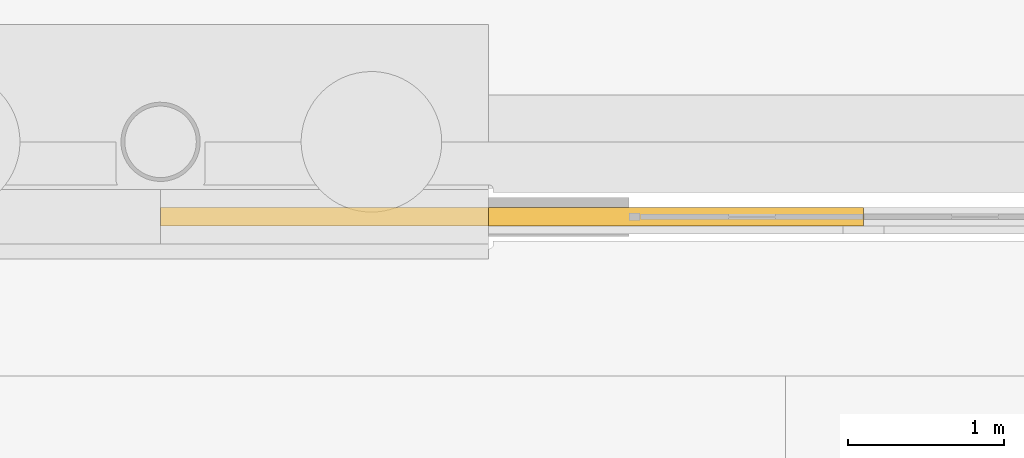
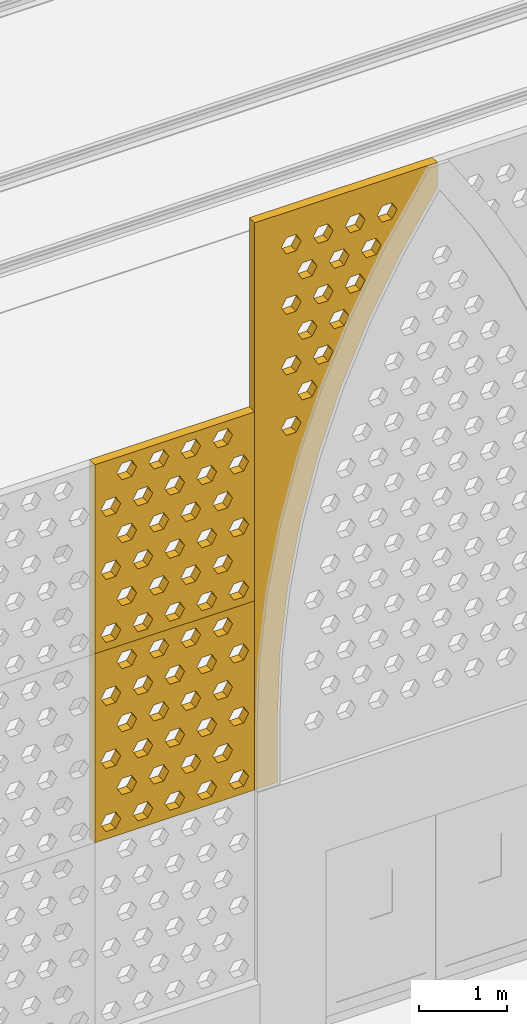
# One storey, part 188 of 250: 3 shading devices.
"""IFC4 building model written with IfcOpenShell, lengths in metres."""

from ifc_helpers import new_model, si_unit, direction, frame, origin, place, context, subcontext, project, spatial, polyline, outline, extrude, material, layer, layer_set, type_object, element, save


model = new_model("IFC4")

# Units and contexts
model_context = context("Model", 3, precision=1e-05, world=origin(), true_north=direction((0.0, 1.0)))
body_context = subcontext(model_context, "Body", "Model", "MODEL_VIEW")
ifc_project = project(units=[si_unit("LENGTHUNIT", "METRE"), si_unit("AREAUNIT", "SQUARE_METRE"), si_unit("VOLUMEUNIT", "CUBIC_METRE"), si_unit("PLANEANGLEUNIT", "RADIAN"), si_unit("MASSUNIT", "GRAM", prefix="KILO")], contexts=[model_context])

# Site, building, storey
site_placement = place(None, origin())
site = spatial("IfcSite", under=ifc_project, at=site_placement, CompositionType="ELEMENT")
building_placement = place(site_placement, origin())
building = spatial("IfcBuilding", under=site, at=building_placement, Name="Baradari Gate Terminus", CompositionType="ELEMENT")
storey_placement = place(building_placement, origin())
storey = spatial("IfcBuildingStorey", under=building, at=storey_placement, Name="L00", CompositionType="ELEMENT", Elevation=0.0)

# Shading devices
ifc_material = material(Name="Concrete C50/60 precast", Category="concrete")
ifc_layer = layer(ifc_material, 0.1201171875)
ifc_layer_set = layer_set([ifc_layer], Name="Concrete C50/60 precast")
shading_device_type = type_object("IfcShadingDeviceType", Name="Jali screen panel JS-2 120", PredefinedType="SHUTTER", material=ifc_layer_set)
shading_device_1_placement = place(storey_placement, frame((162.0, 35.52001953125, 3.52490234375), z_axis=(0.0, 0.0, 1.0), x_axis=(1.0, 0.0, 0.0)))
element("IfcShadingDevice", 1, at=shading_device_1_placement, inside=storey, type_object=shading_device_type, Name="Jali screen panel JS-2 SC01a row 2 panel 1", PredefinedType="SHUTTER", context=body_context, shape_type="SweptSolid", body=[
    extrude(outline(polyline([(0.0, 0.0), (2.10009765625, 0.0), (2.10009765625, 2.625), (0.0, 2.625), (0.0, 0.0)]), holes=[polyline([(0.340087890625, 0.21875), (0.27490234375, 0.106201171875), (0.14501953125, 0.106201171875), (0.080078125, 0.21875), (0.14501953125, 0.33154296875), (0.27490234375, 0.33154296875), (0.340087890625, 0.21875)]), polyline([(0.760009765625, 0.21875), (0.695068359375, 0.106201171875), (0.56494140625, 0.106201171875), (0.5, 0.21875), (0.56494140625, 0.33154296875), (0.695068359375, 0.33154296875), (0.760009765625, 0.21875)]), polyline([(1.179931640625, 0.21875), (1.114990234375, 0.106201171875), (0.985107421875, 0.106201171875), (0.919921875, 0.21875), (0.985107421875, 0.33154296875), (1.114990234375, 0.33154296875), (1.179931640625, 0.21875)]), polyline([(1.60009765625, 0.21875), (1.534912109375, 0.106201171875), (1.405029296875, 0.106201171875), (1.340087890625, 0.21875), (1.405029296875, 0.33154296875), (1.534912109375, 0.33154296875), (1.60009765625, 0.21875)]), polyline([(2.02001953125, 0.21875), (1.955078125, 0.106201171875), (1.824951171875, 0.106201171875), (1.760009765625, 0.21875), (1.824951171875, 0.33154296875), (1.955078125, 0.33154296875), (2.02001953125, 0.21875)]), polyline([(0.550048828125, 0.65625), (0.485107421875, 0.543701171875), (0.35498046875, 0.543701171875), (0.2900390625, 0.65625), (0.35498046875, 0.76904296875), (0.485107421875, 0.76904296875), (0.550048828125, 0.65625)]), polyline([(0.969970703125, 0.65625), (0.905029296875, 0.543701171875), (0.77490234375, 0.543701171875), (0.7099609375, 0.65625), (0.77490234375, 0.76904296875), (0.905029296875, 0.76904296875), (0.969970703125, 0.65625)]), polyline([(1.389892578125, 0.65625), (1.324951171875, 0.543701171875), (1.195068359375, 0.543701171875), (1.1298828125, 0.65625), (1.195068359375, 0.76904296875), (1.324951171875, 0.76904296875), (1.389892578125, 0.65625)]), polyline([(1.81005859375, 0.65625), (1.7451171875, 0.543701171875), (1.614990234375, 0.543701171875), (1.550048828125, 0.65625), (1.614990234375, 0.76904296875), (1.7451171875, 0.76904296875), (1.81005859375, 0.65625)]), polyline([(0.340087890625, 1.09375), (0.27490234375, 0.981201171875), (0.14501953125, 0.981201171875), (0.080078125, 1.09375), (0.14501953125, 1.20654296875), (0.27490234375, 1.20654296875), (0.340087890625, 1.09375)]), polyline([(0.760009765625, 1.09375), (0.695068359375, 0.981201171875), (0.56494140625, 0.981201171875), (0.5, 1.09375), (0.56494140625, 1.20654296875), (0.695068359375, 1.20654296875), (0.760009765625, 1.09375)]), polyline([(1.179931640625, 1.09375), (1.114990234375, 0.981201171875), (0.985107421875, 0.981201171875), (0.919921875, 1.09375), (0.985107421875, 1.20654296875), (1.114990234375, 1.20654296875), (1.179931640625, 1.09375)]), polyline([(1.60009765625, 1.09375), (1.534912109375, 0.981201171875), (1.405029296875, 0.981201171875), (1.340087890625, 1.09375), (1.405029296875, 1.20654296875), (1.534912109375, 1.20654296875), (1.60009765625, 1.09375)]), polyline([(2.02001953125, 1.09375), (1.955078125, 0.981201171875), (1.824951171875, 0.981201171875), (1.760009765625, 1.09375), (1.824951171875, 1.20654296875), (1.955078125, 1.20654296875), (2.02001953125, 1.09375)]), polyline([(0.550048828125, 1.53125), (0.485107421875, 1.418701171875), (0.35498046875, 1.418701171875), (0.2900390625, 1.53125), (0.35498046875, 1.64404296875), (0.485107421875, 1.64404296875), (0.550048828125, 1.53125)]), polyline([(0.969970703125, 1.53125), (0.905029296875, 1.418701171875), (0.77490234375, 1.418701171875), (0.7099609375, 1.53125), (0.77490234375, 1.64404296875), (0.905029296875, 1.64404296875), (0.969970703125, 1.53125)]), polyline([(1.389892578125, 1.53125), (1.324951171875, 1.418701171875), (1.195068359375, 1.418701171875), (1.1298828125, 1.53125), (1.195068359375, 1.64404296875), (1.324951171875, 1.64404296875), (1.389892578125, 1.53125)]), polyline([(1.81005859375, 1.53125), (1.7451171875, 1.418701171875), (1.614990234375, 1.418701171875), (1.550048828125, 1.53125), (1.614990234375, 1.64404296875), (1.7451171875, 1.64404296875), (1.81005859375, 1.53125)]), polyline([(0.340087890625, 1.96875), (0.27490234375, 1.856201171875), (0.14501953125, 1.856201171875), (0.080078125, 1.96875), (0.14501953125, 2.08154296875), (0.27490234375, 2.08154296875), (0.340087890625, 1.96875)]), polyline([(0.760009765625, 1.96875), (0.695068359375, 1.856201171875), (0.56494140625, 1.856201171875), (0.5, 1.96875), (0.56494140625, 2.08154296875), (0.695068359375, 2.08154296875), (0.760009765625, 1.96875)]), polyline([(1.179931640625, 1.96875), (1.114990234375, 1.856201171875), (0.985107421875, 1.856201171875), (0.919921875, 1.96875), (0.985107421875, 2.08154296875), (1.114990234375, 2.08154296875), (1.179931640625, 1.96875)]), polyline([(1.60009765625, 1.96875), (1.534912109375, 1.856201171875), (1.405029296875, 1.856201171875), (1.340087890625, 1.96875), (1.405029296875, 2.08154296875), (1.534912109375, 2.08154296875), (1.60009765625, 1.96875)]), polyline([(2.02001953125, 1.96875), (1.955078125, 1.856201171875), (1.824951171875, 1.856201171875), (1.760009765625, 1.96875), (1.824951171875, 2.08154296875), (1.955078125, 2.08154296875), (2.02001953125, 1.96875)]), polyline([(0.550048828125, 2.40625), (0.485107421875, 2.293701171875), (0.35498046875, 2.293701171875), (0.2900390625, 2.40625), (0.35498046875, 2.51904296875), (0.485107421875, 2.51904296875), (0.550048828125, 2.40625)]), polyline([(0.969970703125, 2.40625), (0.905029296875, 2.293701171875), (0.77490234375, 2.293701171875), (0.7099609375, 2.40625), (0.77490234375, 2.51904296875), (0.905029296875, 2.51904296875), (0.969970703125, 2.40625)]), polyline([(1.389892578125, 2.40625), (1.324951171875, 2.293701171875), (1.195068359375, 2.293701171875), (1.1298828125, 2.40625), (1.195068359375, 2.51904296875), (1.324951171875, 2.51904296875), (1.389892578125, 2.40625)]), polyline([(1.81005859375, 2.40625), (1.7451171875, 2.293701171875), (1.614990234375, 2.293701171875), (1.550048828125, 2.40625), (1.614990234375, 2.51904296875), (1.7451171875, 2.51904296875), (1.81005859375, 2.40625)])]), frame((0.0, 0.06005859375, 0.0), z_axis=(0.0, -1.0, 0.0), x_axis=(1.0, 0.0, 0.0)), (0.0, 0.0, 1.0), 0.1201171875),
])
shading_device_2_placement = place(storey_placement, frame((162.0, 35.52001953125, 6.14990234375), z_axis=(0.0, 0.0, 1.0), x_axis=(1.0, 0.0, 0.0)))
element("IfcShadingDevice", 2, at=shading_device_2_placement, inside=storey, type_object=shading_device_type, Name="Jali screen panel JS-2 SC01a row 3 panel 1", PredefinedType="SHUTTER", context=body_context, shape_type="SweptSolid", body=[
    extrude(outline(polyline([(0.0, 0.0), (2.10009765625, 0.0), (2.10009765625, 2.625), (0.0, 2.625), (0.0, 0.0)]), holes=[polyline([(0.340087890625, 0.21875), (0.27490234375, 0.106201171875), (0.14501953125, 0.106201171875), (0.080078125, 0.21875), (0.14501953125, 0.33154296875), (0.27490234375, 0.33154296875), (0.340087890625, 0.21875)]), polyline([(0.760009765625, 0.21875), (0.695068359375, 0.106201171875), (0.56494140625, 0.106201171875), (0.5, 0.21875), (0.56494140625, 0.33154296875), (0.695068359375, 0.33154296875), (0.760009765625, 0.21875)]), polyline([(1.179931640625, 0.21875), (1.114990234375, 0.106201171875), (0.985107421875, 0.106201171875), (0.919921875, 0.21875), (0.985107421875, 0.33154296875), (1.114990234375, 0.33154296875), (1.179931640625, 0.21875)]), polyline([(1.60009765625, 0.21875), (1.534912109375, 0.106201171875), (1.405029296875, 0.106201171875), (1.340087890625, 0.21875), (1.405029296875, 0.33154296875), (1.534912109375, 0.33154296875), (1.60009765625, 0.21875)]), polyline([(2.02001953125, 0.21875), (1.955078125, 0.106201171875), (1.824951171875, 0.106201171875), (1.760009765625, 0.21875), (1.824951171875, 0.33154296875), (1.955078125, 0.33154296875), (2.02001953125, 0.21875)]), polyline([(0.550048828125, 0.65625), (0.485107421875, 0.543701171875), (0.35498046875, 0.543701171875), (0.2900390625, 0.65625), (0.35498046875, 0.76904296875), (0.485107421875, 0.76904296875), (0.550048828125, 0.65625)]), polyline([(0.969970703125, 0.65625), (0.905029296875, 0.543701171875), (0.77490234375, 0.543701171875), (0.7099609375, 0.65625), (0.77490234375, 0.76904296875), (0.905029296875, 0.76904296875), (0.969970703125, 0.65625)]), polyline([(1.389892578125, 0.65625), (1.324951171875, 0.543701171875), (1.195068359375, 0.543701171875), (1.1298828125, 0.65625), (1.195068359375, 0.76904296875), (1.324951171875, 0.76904296875), (1.389892578125, 0.65625)]), polyline([(1.81005859375, 0.65625), (1.7451171875, 0.543701171875), (1.614990234375, 0.543701171875), (1.550048828125, 0.65625), (1.614990234375, 0.76904296875), (1.7451171875, 0.76904296875), (1.81005859375, 0.65625)]), polyline([(0.340087890625, 1.09375), (0.27490234375, 0.981201171875), (0.14501953125, 0.981201171875), (0.080078125, 1.09375), (0.14501953125, 1.20654296875), (0.27490234375, 1.20654296875), (0.340087890625, 1.09375)]), polyline([(0.760009765625, 1.09375), (0.695068359375, 0.981201171875), (0.56494140625, 0.981201171875), (0.5, 1.09375), (0.56494140625, 1.20654296875), (0.695068359375, 1.20654296875), (0.760009765625, 1.09375)]), polyline([(1.179931640625, 1.09375), (1.114990234375, 0.981201171875), (0.985107421875, 0.981201171875), (0.919921875, 1.09375), (0.985107421875, 1.20654296875), (1.114990234375, 1.20654296875), (1.179931640625, 1.09375)]), polyline([(1.60009765625, 1.09375), (1.534912109375, 0.981201171875), (1.405029296875, 0.981201171875), (1.340087890625, 1.09375), (1.405029296875, 1.20654296875), (1.534912109375, 1.20654296875), (1.60009765625, 1.09375)]), polyline([(2.02001953125, 1.09375), (1.955078125, 0.981201171875), (1.824951171875, 0.981201171875), (1.760009765625, 1.09375), (1.824951171875, 1.20654296875), (1.955078125, 1.20654296875), (2.02001953125, 1.09375)]), polyline([(0.550048828125, 1.53125), (0.485107421875, 1.418701171875), (0.35498046875, 1.418701171875), (0.2900390625, 1.53125), (0.35498046875, 1.64404296875), (0.485107421875, 1.64404296875), (0.550048828125, 1.53125)]), polyline([(0.969970703125, 1.53125), (0.905029296875, 1.418701171875), (0.77490234375, 1.418701171875), (0.7099609375, 1.53125), (0.77490234375, 1.64404296875), (0.905029296875, 1.64404296875), (0.969970703125, 1.53125)]), polyline([(1.389892578125, 1.53125), (1.324951171875, 1.418701171875), (1.195068359375, 1.418701171875), (1.1298828125, 1.53125), (1.195068359375, 1.64404296875), (1.324951171875, 1.64404296875), (1.389892578125, 1.53125)]), polyline([(1.81005859375, 1.53125), (1.7451171875, 1.418701171875), (1.614990234375, 1.418701171875), (1.550048828125, 1.53125), (1.614990234375, 1.64404296875), (1.7451171875, 1.64404296875), (1.81005859375, 1.53125)]), polyline([(0.340087890625, 1.96875), (0.27490234375, 1.856201171875), (0.14501953125, 1.856201171875), (0.080078125, 1.96875), (0.14501953125, 2.08154296875), (0.27490234375, 2.08154296875), (0.340087890625, 1.96875)]), polyline([(0.760009765625, 1.96875), (0.695068359375, 1.856201171875), (0.56494140625, 1.856201171875), (0.5, 1.96875), (0.56494140625, 2.08154296875), (0.695068359375, 2.08154296875), (0.760009765625, 1.96875)]), polyline([(1.179931640625, 1.96875), (1.114990234375, 1.856201171875), (0.985107421875, 1.856201171875), (0.919921875, 1.96875), (0.985107421875, 2.08154296875), (1.114990234375, 2.08154296875), (1.179931640625, 1.96875)]), polyline([(1.60009765625, 1.96875), (1.534912109375, 1.856201171875), (1.405029296875, 1.856201171875), (1.340087890625, 1.96875), (1.405029296875, 2.08154296875), (1.534912109375, 2.08154296875), (1.60009765625, 1.96875)]), polyline([(2.02001953125, 1.96875), (1.955078125, 1.856201171875), (1.824951171875, 1.856201171875), (1.760009765625, 1.96875), (1.824951171875, 2.08154296875), (1.955078125, 2.08154296875), (2.02001953125, 1.96875)]), polyline([(0.550048828125, 2.40625), (0.485107421875, 2.293701171875), (0.35498046875, 2.293701171875), (0.2900390625, 2.40625), (0.35498046875, 2.51904296875), (0.485107421875, 2.51904296875), (0.550048828125, 2.40625)]), polyline([(0.969970703125, 2.40625), (0.905029296875, 2.293701171875), (0.77490234375, 2.293701171875), (0.7099609375, 2.40625), (0.77490234375, 2.51904296875), (0.905029296875, 2.51904296875), (0.969970703125, 2.40625)]), polyline([(1.389892578125, 2.40625), (1.324951171875, 2.293701171875), (1.195068359375, 2.293701171875), (1.1298828125, 2.40625), (1.195068359375, 2.51904296875), (1.324951171875, 2.51904296875), (1.389892578125, 2.40625)]), polyline([(1.81005859375, 2.40625), (1.7451171875, 2.293701171875), (1.614990234375, 2.293701171875), (1.550048828125, 2.40625), (1.614990234375, 2.51904296875), (1.7451171875, 2.51904296875), (1.81005859375, 2.40625)])]), frame((0.0, 0.06005859375, 0.0), z_axis=(0.0, -1.0, 0.0), x_axis=(1.0, 0.0, 0.0)), (0.0, 0.0, 1.0), 0.1201171875),
])
shading_device_3_placement = place(storey_placement, frame((164.10009765625, 35.52001953125, 3.52490234375), z_axis=(0.0, 0.0, 1.0), x_axis=(1.0, 0.0, 0.0)))
element("IfcShadingDevice", 3, at=shading_device_3_placement, inside=storey, type_object=shading_device_type, Name="Jali screen panel JS-2 SC01b arch L1", PredefinedType="SHUTTER", context=body_context, shape_type="SweptSolid", body=[
    extrude(outline(polyline([(0.0, 0.0), (0.300048828125, 0.0), (0.300048828125, 0.900146484375), (0.333740234375, 1.78173828125), (0.435302734375, 2.658203125), (0.603515625, 3.5244140625), (0.837646484375, 4.375), (1.13623046875, 5.205322265625), (1.49755859375, 6.01025390625), (1.919677734375, 6.784912109375), (2.39990234375, 7.525146484375), (2.39990234375, 7.875), (0.0, 7.875), (0.0, 0.0)]), holes=[polyline([(0.610107421875, 4.89013671875), (0.544921875, 4.777587890625), (0.4150390625, 4.777587890625), (0.35009765625, 4.89013671875), (0.4150390625, 5.002685546875), (0.544921875, 5.002685546875), (0.610107421875, 4.89013671875)]), polyline([(0.820068359375, 5.31005859375), (0.7548828125, 5.197509765625), (0.625, 5.197509765625), (0.56005859375, 5.31005859375), (0.625, 5.422607421875), (0.7548828125, 5.422607421875), (0.820068359375, 5.31005859375)]), polyline([(0.610107421875, 5.72998046875), (0.544921875, 5.617431640625), (0.4150390625, 5.617431640625), (0.35009765625, 5.72998046875), (0.4150390625, 5.8427734375), (0.544921875, 5.8427734375), (0.610107421875, 5.72998046875)]), polyline([(1.030029296875, 5.72998046875), (0.965087890625, 5.617431640625), (0.8349609375, 5.617431640625), (0.77001953125, 5.72998046875), (0.8349609375, 5.8427734375), (0.965087890625, 5.8427734375), (1.030029296875, 5.72998046875)]), polyline([(0.820068359375, 6.150146484375), (0.7548828125, 6.03759765625), (0.625, 6.03759765625), (0.56005859375, 6.150146484375), (0.625, 6.2626953125), (0.7548828125, 6.2626953125), (0.820068359375, 6.150146484375)]), polyline([(1.239990234375, 6.150146484375), (1.175048828125, 6.03759765625), (1.044921875, 6.03759765625), (0.97998046875, 6.150146484375), (1.044921875, 6.2626953125), (1.175048828125, 6.2626953125), (1.239990234375, 6.150146484375)]), polyline([(0.610107421875, 6.570068359375), (0.544921875, 6.45751953125), (0.4150390625, 6.45751953125), (0.35009765625, 6.570068359375), (0.4150390625, 6.6826171875), (0.544921875, 6.6826171875), (0.610107421875, 6.570068359375)]), polyline([(1.030029296875, 6.570068359375), (0.965087890625, 6.45751953125), (0.8349609375, 6.45751953125), (0.77001953125, 6.570068359375), (0.8349609375, 6.6826171875), (0.965087890625, 6.6826171875), (1.030029296875, 6.570068359375)]), polyline([(1.449951171875, 6.570068359375), (1.385009765625, 6.45751953125), (1.2548828125, 6.45751953125), (1.18994140625, 6.570068359375), (1.2548828125, 6.6826171875), (1.385009765625, 6.6826171875), (1.449951171875, 6.570068359375)]), polyline([(0.820068359375, 6.989990234375), (0.7548828125, 6.87744140625), (0.625, 6.87744140625), (0.56005859375, 6.989990234375), (0.625, 7.102783203125), (0.7548828125, 7.102783203125), (0.820068359375, 6.989990234375)]), polyline([(1.239990234375, 6.989990234375), (1.175048828125, 6.87744140625), (1.044921875, 6.87744140625), (0.97998046875, 6.989990234375), (1.044921875, 7.102783203125), (1.175048828125, 7.102783203125), (1.239990234375, 6.989990234375)]), polyline([(1.659912109375, 6.989990234375), (1.594970703125, 6.87744140625), (1.465087890625, 6.87744140625), (1.39990234375, 6.989990234375), (1.465087890625, 7.102783203125), (1.594970703125, 7.102783203125), (1.659912109375, 6.989990234375)]), polyline([(0.610107421875, 7.41015625), (0.544921875, 7.297607421875), (0.4150390625, 7.297607421875), (0.35009765625, 7.41015625), (0.4150390625, 7.522705078125), (0.544921875, 7.522705078125), (0.610107421875, 7.41015625)]), polyline([(1.030029296875, 7.41015625), (0.965087890625, 7.297607421875), (0.8349609375, 7.297607421875), (0.77001953125, 7.41015625), (0.8349609375, 7.522705078125), (0.965087890625, 7.522705078125), (1.030029296875, 7.41015625)]), polyline([(1.449951171875, 7.41015625), (1.385009765625, 7.297607421875), (1.2548828125, 7.297607421875), (1.18994140625, 7.41015625), (1.2548828125, 7.522705078125), (1.385009765625, 7.522705078125), (1.449951171875, 7.41015625)]), polyline([(1.8701171875, 7.41015625), (1.804931640625, 7.297607421875), (1.675048828125, 7.297607421875), (1.610107421875, 7.41015625), (1.675048828125, 7.522705078125), (1.804931640625, 7.522705078125), (1.8701171875, 7.41015625)])]), frame((0.0, 0.06005859375, 0.0), z_axis=(0.0, -1.0, 0.0), x_axis=(1.0, 0.0, 0.0)), (0.0, 0.0, 1.0), 0.1201171875),
])

save(model, "model.ifc")
